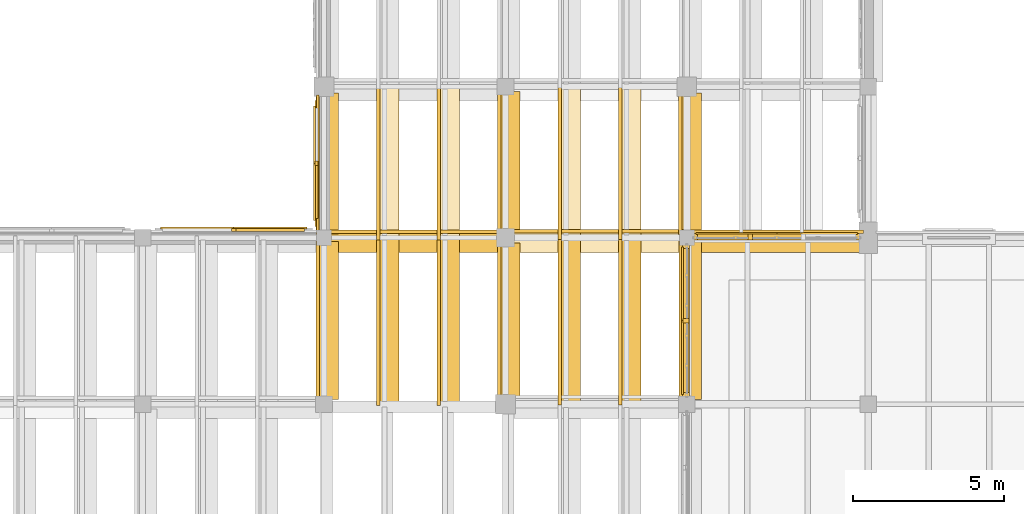
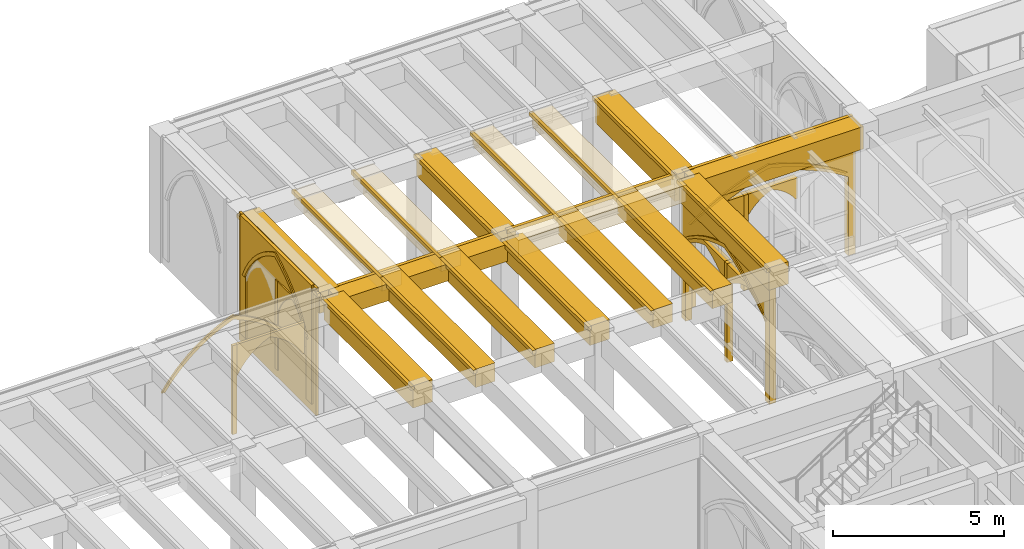
# One storey, part 104 of 127: 52 coverings.
"""IFC4 building model written with IfcOpenShell, lengths in metres."""

from ifc_helpers import new_model, si_unit, direction, frame, origin, origin_2d, place, context, subcontext, project, spatial, polyline, rectangle, outline, extrude, material, type_object, element, save


model = new_model("IFC4")

# Units and contexts
model_context = context("Model", 3, precision=1e-05, world=origin(), true_north=direction((0.0, 1.0)))
body_context = subcontext(model_context, "Body", "Model", "MODEL_VIEW")
ifc_project = project(units=[si_unit("LENGTHUNIT", "METRE"), si_unit("AREAUNIT", "SQUARE_METRE"), si_unit("VOLUMEUNIT", "CUBIC_METRE"), si_unit("PLANEANGLEUNIT", "RADIAN"), si_unit("MASSUNIT", "GRAM", prefix="KILO")], contexts=[model_context])

# Site, building, storey
site_placement = place(None, origin())
site = spatial("IfcSite", under=ifc_project, at=site_placement, CompositionType="ELEMENT")
building_placement = place(site_placement, origin())
building = spatial("IfcBuilding", under=site, at=building_placement, Name="Cumevento Cable Car Station", CompositionType="ELEMENT")
storey_placement = place(building_placement, frame((0.0, 0.0, 4.5)))
storey = spatial("IfcBuildingStorey", under=building, at=storey_placement, Name="L02", CompositionType="ELEMENT", Elevation=4.5)

# Coverings
ifc_material = material(Name="Gnaisse Facoidal Stone Ashlar 85 MPa", Category="masonry")
covering_type = type_object("IfcCoveringType", Name="Gnaisse Ashlar Cladding CV-CL01", PredefinedType="CLADDING", material=ifc_material)
covering_1_placement = place(storey_placement, frame((52.14990234375, 53.762451171875, 3.5927734375), z_axis=(0.0, 0.0, 1.0), x_axis=(0.0, 1.0, 0.0)))
element("IfcCovering", 1, at=covering_1_placement, inside=storey, type_object=covering_type, Name="Gothic Stone Spandrel Stringcourse sc:0376", PredefinedType="CLADDING", context=body_context, shape_type="SweptSolid", body=[
    extrude(rectangle(XDim=5.215087890625, YDim=0.659912109375, at=origin_2d()), origin(), (0.0, 0.0, 1.0), 0.797119140625),
])
covering_2_placement = place(storey_placement, frame((51.79248046875, 53.762451171875, 4.260009765625), z_axis=(0.0, 0.0, 1.0), x_axis=(0.0, 1.0, 0.0)))
element("IfcCovering", 2, at=covering_2_placement, inside=storey, type_object=covering_type, Name="Gothic Cornice Dripstone Lip sc:0376", PredefinedType="CLADDING", context=body_context, shape_type="SweptSolid", body=[
    extrude(rectangle(XDim=5.2548828125, YDim=0.114990234375, at=origin_2d()), origin(), (0.0, 0.0, 1.0), 0.1298828125),
])
covering_3_placement = place(storey_placement, frame((54.97509765625, 56.35009765625, 3.783935546875), z_axis=(0.0, 0.0, 1.0), x_axis=(1.0, 0.0, 0.0)))
element("IfcCovering", 3, at=covering_3_placement, inside=storey, type_object=covering_type, Name="Gothic Stone Spandrel Stringcourse sc:0386", PredefinedType="CLADDING", context=body_context, shape_type="SweptSolid", body=[
    extrude(rectangle(XDim=5.68994140625, YDim=0.659912109375, at=origin_2d()), origin(), (0.0, 0.0, 1.0), 0.60595703125),
])
covering_4_placement = place(storey_placement, frame((54.97509765625, 56.70751953125, 4.260009765625), z_axis=(0.0, 0.0, 1.0), x_axis=(1.0, 0.0, 0.0)))
element("IfcCovering", 4, at=covering_4_placement, inside=storey, type_object=covering_type, Name="Gothic Cornice Dripstone Lip sc:0386", PredefinedType="CLADDING", context=body_context, shape_type="SweptSolid", body=[
    extrude(rectangle(XDim=5.72998046875, YDim=0.114990234375, at=origin_2d()), origin(), (0.0, 0.0, 1.0), 0.1298828125),
])
covering_5_placement = place(storey_placement, frame((61.02490234375, 56.350830078125, 3.7978515625), z_axis=(0.0, 0.0, 1.0), x_axis=(1.0, 0.0, 0.0)))
element("IfcCovering", 5, at=covering_5_placement, inside=storey, type_object=covering_type, Name="Gothic Stone Spandrel Stringcourse sc:0387", PredefinedType="CLADDING", context=body_context, shape_type="SweptSolid", body=[
    extrude(rectangle(XDim=5.68994140625, YDim=0.66162109375, at=origin_2d()), origin(), (0.0, 0.0, 1.0), 0.592041015625),
])
covering_6_placement = place(storey_placement, frame((61.02490234375, 56.708984375, 4.260009765625), z_axis=(0.0, 0.0, 1.0), x_axis=(1.0, 0.0, 0.0)))
element("IfcCovering", 6, at=covering_6_placement, inside=storey, type_object=covering_type, Name="Gothic Cornice Dripstone Lip sc:0387", PredefinedType="CLADDING", context=body_context, shape_type="SweptSolid", body=[
    extrude(rectangle(XDim=5.72998046875, YDim=0.114990234375, at=origin_2d()), origin(), (0.0, 0.0, 1.0), 0.1298828125),
])
covering_7_placement = place(storey_placement, frame((58.148681640625, 53.762451171875, 3.69580078125), z_axis=(0.0, 0.0, 1.0), x_axis=(0.0, 1.0, 0.0)))
element("IfcCovering", 7, at=covering_7_placement, inside=storey, type_object=covering_type, Name="Gothic Stone Spandrel Stringcourse sc:0389", PredefinedType="CLADDING", context=body_context, shape_type="SweptSolid", body=[
    extrude(rectangle(XDim=5.114990234375, YDim=0.66259765625, at=origin_2d()), origin(), (0.0, 0.0, 1.0), 0.694091796875),
])
covering_8_placement = place(storey_placement, frame((57.7900390625, 53.762451171875, 4.260009765625), z_axis=(0.0, 0.0, 1.0), x_axis=(0.0, 1.0, 0.0)))
element("IfcCovering", 8, at=covering_8_placement, inside=storey, type_object=covering_type, Name="Gothic Cornice Dripstone Lip sc:0389", PredefinedType="CLADDING", context=body_context, shape_type="SweptSolid", body=[
    extrude(rectangle(XDim=5.155029296875, YDim=0.114990234375, at=origin_2d()), origin(), (0.0, 0.0, 1.0), 0.1298828125),
])
covering_9_placement = place(storey_placement, frame((64.14990234375, 53.762451171875, 3.5927734375), z_axis=(0.0, 0.0, 1.0), x_axis=(0.0, 1.0, 0.0)))
element("IfcCovering", 9, at=covering_9_placement, inside=storey, type_object=covering_type, Name="Gothic Stone Spandrel Stringcourse sc:0391", PredefinedType="CLADDING", context=body_context, shape_type="SweptSolid", body=[
    extrude(rectangle(XDim=5.215087890625, YDim=0.659912109375, at=origin_2d()), origin(), (0.0, 0.0, 1.0), 0.797119140625),
])
covering_10_placement = place(storey_placement, frame((63.79248046875, 53.762451171875, 4.260009765625), z_axis=(0.0, 0.0, 1.0), x_axis=(0.0, 1.0, 0.0)))
element("IfcCovering", 10, at=covering_10_placement, inside=storey, type_object=covering_type, Name="Gothic Cornice Dripstone Lip sc:0391", PredefinedType="CLADDING", context=body_context, shape_type="SweptSolid", body=[
    extrude(rectangle(XDim=5.2548828125, YDim=0.114990234375, at=origin_2d()), origin(), (0.0, 0.0, 1.0), 0.1298828125),
])
covering_11_placement = place(storey_placement, frame((66.97509765625, 56.35009765625, 3.5869140625), z_axis=(0.0, 0.0, 1.0), x_axis=(1.0, 0.0, 0.0)))
element("IfcCovering", 11, at=covering_11_placement, inside=storey, type_object=covering_type, Name="Gothic Stone Spandrel Stringcourse sc:0393", PredefinedType="CLADDING", context=body_context, shape_type="SweptSolid", body=[
    extrude(rectangle(XDim=5.68994140625, YDim=0.659912109375, at=origin_2d()), origin(), (0.0, 0.0, 1.0), 0.802978515625),
])
covering_12_placement = place(storey_placement, frame((66.97509765625, 56.70751953125, 4.260009765625), z_axis=(0.0, 0.0, 1.0), x_axis=(1.0, 0.0, 0.0)))
element("IfcCovering", 12, at=covering_12_placement, inside=storey, type_object=covering_type, Name="Gothic Cornice Dripstone Lip sc:0393", PredefinedType="CLADDING", context=body_context, shape_type="SweptSolid", body=[
    extrude(rectangle(XDim=5.72998046875, YDim=0.114990234375, at=origin_2d()), origin(), (0.0, 0.0, 1.0), 0.1298828125),
])
covering_13_placement = place(storey_placement, frame((52.14990234375, 58.96240234375, 3.64306640625), z_axis=(0.0, 0.0, 1.0), x_axis=(0.0, 1.0, 0.0)))
element("IfcCovering", 13, at=covering_13_placement, inside=storey, type_object=covering_type, Name="Gothic Stone Spandrel Stringcourse sc:0430", PredefinedType="CLADDING", context=body_context, shape_type="SweptSolid", body=[
    extrude(rectangle(XDim=4.6650390625, YDim=0.659912109375, at=origin_2d()), origin(), (0.0, 0.0, 1.0), 0.7470703125),
])
covering_14_placement = place(storey_placement, frame((51.79248046875, 58.96240234375, 4.260009765625), z_axis=(0.0, 0.0, 1.0), x_axis=(0.0, 1.0, 0.0)))
element("IfcCovering", 14, at=covering_14_placement, inside=storey, type_object=covering_type, Name="Gothic Cornice Dripstone Lip sc:0430", PredefinedType="CLADDING", context=body_context, shape_type="SweptSolid", body=[
    extrude(rectangle(XDim=4.705078125, YDim=0.114990234375, at=origin_2d()), origin(), (0.0, 0.0, 1.0), 0.1298828125),
])
covering_15_placement = place(storey_placement, frame((58.14990234375, 59.012451171875, 3.5927734375), z_axis=(0.0, 0.0, 1.0), x_axis=(0.0, 1.0, 0.0)))
element("IfcCovering", 15, at=covering_15_placement, inside=storey, type_object=covering_type, Name="Gothic Stone Spandrel Stringcourse sc:0432", PredefinedType="CLADDING", context=body_context, shape_type="SweptSolid", body=[
    extrude(rectangle(XDim=4.6650390625, YDim=0.659912109375, at=origin_2d()), origin(), (0.0, 0.0, 1.0), 0.797119140625),
])
covering_16_placement = place(storey_placement, frame((57.79248046875, 59.012451171875, 4.260009765625), z_axis=(0.0, 0.0, 1.0), x_axis=(0.0, 1.0, 0.0)))
element("IfcCovering", 16, at=covering_16_placement, inside=storey, type_object=covering_type, Name="Gothic Cornice Dripstone Lip sc:0432", PredefinedType="CLADDING", context=body_context, shape_type="SweptSolid", body=[
    extrude(rectangle(XDim=4.705078125, YDim=0.114990234375, at=origin_2d()), origin(), (0.0, 0.0, 1.0), 0.1298828125),
])
covering_17_placement = place(storey_placement, frame((64.14306640625, 58.96240234375, 3.44189453125), z_axis=(0.0, 0.0, 1.0), x_axis=(0.0, 1.0, 0.0)))
element("IfcCovering", 17, at=covering_17_placement, inside=storey, type_object=covering_type, Name="Gothic Stone Spandrel Stringcourse sc:0434", PredefinedType="CLADDING", context=body_context, shape_type="SweptSolid", body=[
    extrude(rectangle(XDim=4.6650390625, YDim=0.674072265625, at=origin_2d()), origin(), (0.0, 0.0, 1.0), 0.947998046875),
])
covering_18_placement = place(storey_placement, frame((63.778564453125, 58.96240234375, 4.260009765625), z_axis=(0.0, 0.0, 1.0), x_axis=(0.0, 1.0, 0.0)))
element("IfcCovering", 18, at=covering_18_placement, inside=storey, type_object=covering_type, Name="Gothic Cornice Dripstone Lip sc:0434", PredefinedType="CLADDING", context=body_context, shape_type="SweptSolid", body=[
    extrude(rectangle(XDim=4.705078125, YDim=0.114990234375, at=origin_2d()), origin(), (0.0, 0.0, 1.0), 0.1298828125),
])
covering_19_placement = place(storey_placement, frame((54.14990234375, 53.76416015625, 3.73291015625), z_axis=(0.0, 0.0, 1.0), x_axis=(0.0, 1.0, 0.0)))
element("IfcCovering", 19, at=covering_19_placement, inside=storey, type_object=covering_type, Name="Gothic Stone Spandrel Stringcourse sc:0513", PredefinedType="CLADDING", context=body_context, shape_type="SweptSolid", body=[
    extrude(rectangle(XDim=5.58740234375, YDim=0.659912109375, at=origin_2d()), origin(), (0.0, 0.0, 1.0), 0.656982421875),
])
covering_20_placement = place(storey_placement, frame((53.79248046875, 53.76416015625, 4.260009765625), z_axis=(0.0, 0.0, 1.0), x_axis=(0.0, 1.0, 0.0)))
element("IfcCovering", 20, at=covering_20_placement, inside=storey, type_object=covering_type, Name="Gothic Cornice Dripstone Lip sc:0513", PredefinedType="CLADDING", context=body_context, shape_type="SweptSolid", body=[
    extrude(rectangle(XDim=5.62744140625, YDim=0.114990234375, at=origin_2d()), origin(), (0.0, 0.0, 1.0), 0.1298828125),
])
covering_21_placement = place(storey_placement, frame((56.14990234375, 53.76416015625, 3.73291015625), z_axis=(0.0, 0.0, 1.0), x_axis=(0.0, 1.0, 0.0)))
element("IfcCovering", 21, at=covering_21_placement, inside=storey, type_object=covering_type, Name="Gothic Stone Spandrel Stringcourse sc:0515", PredefinedType="CLADDING", context=body_context, shape_type="SweptSolid", body=[
    extrude(rectangle(XDim=5.58740234375, YDim=0.659912109375, at=origin_2d()), origin(), (0.0, 0.0, 1.0), 0.656982421875),
])
covering_22_placement = place(storey_placement, frame((55.79248046875, 53.76416015625, 4.260009765625), z_axis=(0.0, 0.0, 1.0), x_axis=(0.0, 1.0, 0.0)))
element("IfcCovering", 22, at=covering_22_placement, inside=storey, type_object=covering_type, Name="Gothic Cornice Dripstone Lip sc:0515", PredefinedType="CLADDING", context=body_context, shape_type="SweptSolid", body=[
    extrude(rectangle(XDim=5.62744140625, YDim=0.114990234375, at=origin_2d()), origin(), (0.0, 0.0, 1.0), 0.1298828125),
])
covering_23_placement = place(storey_placement, frame((60.14990234375, 53.7626953125, 3.73291015625), z_axis=(0.0, 0.0, 1.0), x_axis=(0.0, 1.0, 0.0)))
element("IfcCovering", 23, at=covering_23_placement, inside=storey, type_object=covering_type, Name="Gothic Stone Spandrel Stringcourse sc:0517", PredefinedType="CLADDING", context=body_context, shape_type="SweptSolid", body=[
    extrude(rectangle(XDim=5.535400390625, YDim=0.659912109375, at=origin_2d()), origin(), (0.0, 0.0, 1.0), 0.656982421875),
])
covering_24_placement = place(storey_placement, frame((59.79248046875, 53.7626953125, 4.260009765625), z_axis=(0.0, 0.0, 1.0), x_axis=(0.0, 1.0, 0.0)))
element("IfcCovering", 24, at=covering_24_placement, inside=storey, type_object=covering_type, Name="Gothic Cornice Dripstone Lip sc:0517", PredefinedType="CLADDING", context=body_context, shape_type="SweptSolid", body=[
    extrude(rectangle(XDim=5.575439453125, YDim=0.114990234375, at=origin_2d()), origin(), (0.0, 0.0, 1.0), 0.1298828125),
])
covering_25_placement = place(storey_placement, frame((62.14990234375, 53.7626953125, 3.73291015625), z_axis=(0.0, 0.0, 1.0), x_axis=(0.0, 1.0, 0.0)))
element("IfcCovering", 25, at=covering_25_placement, inside=storey, type_object=covering_type, Name="Gothic Stone Spandrel Stringcourse sc:0519", PredefinedType="CLADDING", context=body_context, shape_type="SweptSolid", body=[
    extrude(rectangle(XDim=5.535400390625, YDim=0.659912109375, at=origin_2d()), origin(), (0.0, 0.0, 1.0), 0.656982421875),
])
covering_26_placement = place(storey_placement, frame((61.79248046875, 53.7626953125, 4.260009765625), z_axis=(0.0, 0.0, 1.0), x_axis=(0.0, 1.0, 0.0)))
element("IfcCovering", 26, at=covering_26_placement, inside=storey, type_object=covering_type, Name="Gothic Cornice Dripstone Lip sc:0519", PredefinedType="CLADDING", context=body_context, shape_type="SweptSolid", body=[
    extrude(rectangle(XDim=5.575439453125, YDim=0.114990234375, at=origin_2d()), origin(), (0.0, 0.0, 1.0), 0.1298828125),
])
covering_27_placement = place(storey_placement, frame((54.14990234375, 59.0, 3.848876953125), z_axis=(0.0, 0.0, 1.0), x_axis=(0.0, 1.0, 0.0)))
element("IfcCovering", 27, at=covering_27_placement, inside=storey, type_object=covering_type, Name="Gothic Stone Spandrel Stringcourse sc:0540", PredefinedType="CLADDING", context=body_context, shape_type="SweptSolid", body=[
    extrude(rectangle(XDim=5.115966796875, YDim=0.659912109375, at=origin_2d()), origin(), (0.0, 0.0, 1.0), 0.541015625),
])
covering_28_placement = place(storey_placement, frame((53.79248046875, 59.0, 4.260009765625), z_axis=(0.0, 0.0, 1.0), x_axis=(0.0, 1.0, 0.0)))
element("IfcCovering", 28, at=covering_28_placement, inside=storey, type_object=covering_type, Name="Gothic Cornice Dripstone Lip sc:0540", PredefinedType="CLADDING", context=body_context, shape_type="SweptSolid", body=[
    extrude(rectangle(XDim=5.156005859375, YDim=0.114990234375, at=origin_2d()), origin(), (0.0, 0.0, 1.0), 0.1298828125),
])
covering_29_placement = place(storey_placement, frame((56.14990234375, 59.0, 3.848876953125), z_axis=(0.0, 0.0, 1.0), x_axis=(0.0, 1.0, 0.0)))
element("IfcCovering", 29, at=covering_29_placement, inside=storey, type_object=covering_type, Name="Gothic Stone Spandrel Stringcourse sc:0542", PredefinedType="CLADDING", context=body_context, shape_type="SweptSolid", body=[
    extrude(rectangle(XDim=5.115966796875, YDim=0.659912109375, at=origin_2d()), origin(), (0.0, 0.0, 1.0), 0.541015625),
])
covering_30_placement = place(storey_placement, frame((55.79248046875, 59.0, 4.260009765625), z_axis=(0.0, 0.0, 1.0), x_axis=(0.0, 1.0, 0.0)))
element("IfcCovering", 30, at=covering_30_placement, inside=storey, type_object=covering_type, Name="Gothic Cornice Dripstone Lip sc:0542", PredefinedType="CLADDING", context=body_context, shape_type="SweptSolid", body=[
    extrude(rectangle(XDim=5.156005859375, YDim=0.114990234375, at=origin_2d()), origin(), (0.0, 0.0, 1.0), 0.1298828125),
])
covering_31_placement = place(storey_placement, frame((60.14990234375, 59.0, 3.848876953125), z_axis=(0.0, 0.0, 1.0), x_axis=(0.0, 1.0, 0.0)))
element("IfcCovering", 31, at=covering_31_placement, inside=storey, type_object=covering_type, Name="Gothic Stone Spandrel Stringcourse sc:0544", PredefinedType="CLADDING", context=body_context, shape_type="SweptSolid", body=[
    extrude(rectangle(XDim=5.06103515625, YDim=0.659912109375, at=origin_2d()), origin(), (0.0, 0.0, 1.0), 0.541015625),
])
covering_32_placement = place(storey_placement, frame((59.79248046875, 59.0, 4.260009765625), z_axis=(0.0, 0.0, 1.0), x_axis=(0.0, 1.0, 0.0)))
element("IfcCovering", 32, at=covering_32_placement, inside=storey, type_object=covering_type, Name="Gothic Cornice Dripstone Lip sc:0544", PredefinedType="CLADDING", context=body_context, shape_type="SweptSolid", body=[
    extrude(rectangle(XDim=5.10107421875, YDim=0.114990234375, at=origin_2d()), origin(), (0.0, 0.0, 1.0), 0.1298828125),
])
covering_33_placement = place(storey_placement, frame((62.14990234375, 59.0, 3.848876953125), z_axis=(0.0, 0.0, 1.0), x_axis=(0.0, 1.0, 0.0)))
element("IfcCovering", 33, at=covering_33_placement, inside=storey, type_object=covering_type, Name="Gothic Stone Spandrel Stringcourse sc:0546", PredefinedType="CLADDING", context=body_context, shape_type="SweptSolid", body=[
    extrude(rectangle(XDim=5.06103515625, YDim=0.659912109375, at=origin_2d()), origin(), (0.0, 0.0, 1.0), 0.541015625),
])
covering_34_placement = place(storey_placement, frame((61.79248046875, 59.0, 4.260009765625), z_axis=(0.0, 0.0, 1.0), x_axis=(0.0, 1.0, 0.0)))
element("IfcCovering", 34, at=covering_34_placement, inside=storey, type_object=covering_type, Name="Gothic Cornice Dripstone Lip sc:0546", PredefinedType="CLADDING", context=body_context, shape_type="SweptSolid", body=[
    extrude(rectangle(XDim=5.10107421875, YDim=0.114990234375, at=origin_2d()), origin(), (0.0, 0.0, 1.0), 0.1298828125),
])
placement_1 = place(storey_placement, frame((64.25, 56.5, -0.3701171875), z_axis=(0.0, 0.0, 1.0), x_axis=(1.0, 0.0, 0.0)))
element("IfcCovering", 35, at=placement_1, inside=storey, type_object=covering_type, Name="Gothic Ogival Pointed-Arch Stone Spandrel cw_ogival:0059", PredefinedType="CLADDING", context=body_context, shape_type="SweptSolid", body=[
    extrude(outline(polyline([(-0.080078125, 0.0), (-0.080078125, 4.096923828125), (5.530029296875, 4.096923828125), (5.530029296875, 0.0), (5.2900390625, 0.0), (5.2900390625, 2.815673828125), (4.993408203125, 3.00146484375), (4.688720703125, 3.17333984375), (4.37646484375, 3.3310546875), (4.05712890625, 3.474365234375), (3.731689453125, 3.602783203125), (3.40087890625, 3.71630859375), (3.06494140625, 3.814453125), (2.72509765625, 3.89697265625), (2.385009765625, 3.814453125), (2.049072265625, 3.71630859375), (1.71826171875, 3.602783203125), (1.392822265625, 3.474365234375), (1.073486328125, 3.3310546875), (0.76123046875, 3.17333984375), (0.45654296875, 3.00146484375), (0.159912109375, 2.815673828125), (0.159912109375, 0.0), (-0.080078125, 0.0)])), frame((0.0, 0.139892578125, 0.0), z_axis=(0.0, -1.0, 0.0), x_axis=(1.0, 0.0, 0.0)), (0.0, 0.0, 1.0), 0.219970703125),
])
covering_36_placement = place(storey_placement, frame((64.25, 56.5, 2.44580078125), z_axis=(0.0, 0.0, 1.0), x_axis=(1.0, 0.0, 0.0)))
element("IfcCovering", 36, at=covering_36_placement, inside=storey, type_object=covering_type, Name="Gothic Pointed Archivolt Hood Moulding cw_ogival:0059", PredefinedType="CLADDING", context=body_context, shape_type="SweptSolid", body=[
    extrude(outline(polyline([(0.159912109375, 0.0), (0.45654296875, 0.185791015625), (0.76123046875, 0.357666015625), (1.073486328125, 0.515380859375), (1.392822265625, 0.65869140625), (1.71826171875, 0.787109375), (2.049072265625, 0.900634765625), (2.385009765625, 0.998779296875), (2.72509765625, 1.081298828125), (3.06494140625, 0.998779296875), (3.40087890625, 0.900634765625), (3.731689453125, 0.787109375), (4.05712890625, 0.65869140625), (4.37646484375, 0.515380859375), (4.688720703125, 0.357666015625), (4.993408203125, 0.185791015625), (5.2900390625, 0.0), (5.39990234375, 0.0), (5.0947265625, 0.208740234375), (4.779541015625, 0.402099609375), (4.455322265625, 0.579833984375), (4.12255859375, 0.741455078125), (3.782470703125, 0.88623046875), (3.435546875, 1.014404296875), (3.082763671875, 1.125244140625), (2.72509765625, 1.21875), (2.3671875, 1.125244140625), (2.014404296875, 1.014404296875), (1.66748046875, 0.88623046875), (1.327392578125, 0.741455078125), (0.99462890625, 0.579833984375), (0.67041015625, 0.402099609375), (0.355224609375, 0.208740234375), (0.050048828125, 0.0), (0.159912109375, 0.0)])), frame((0.0, 0.181884765625, 0.0), z_axis=(0.0, -1.0, 0.0), x_axis=(1.0, 0.0, 0.0)), (0.0, 0.0, 1.0), 0.06689453125),
])
element("IfcCovering", 37, at=placement_1, inside=storey, type_object=covering_type, Name="Gothic Bifora Stone Colonnette cw_ogival:0059 #1", PredefinedType="CLADDING", context=body_context, shape_type="SweptSolid", body=[
    extrude(outline(polyline([(1.77001953125, -0.02001953125), (1.919921875, -0.02001953125), (1.919921875, 3.3779296875), (1.77001953125, 3.3779296875), (1.77001953125, -0.02001953125)])), frame((0.0, 0.1279296875, 0.0), z_axis=(0.0, -1.0, 0.0), x_axis=(1.0, 0.0, 0.0)), (0.0, 0.0, 1.0), 0.205078125),
])
for number, where, z_axis, x_axis, name in (
    (38, (64.3798828125, 56.5, 2.265625), (0.0, 0.0, 1.0), (1.0, 0.0, 0.0), "Gothic Ogival Pointed-Arch Stone Spandrel cw_ogival:0059:sub:0"),
    (39, (66.139892578125, 56.5, 2.265625), (0.0, 0.0, 1.0), (1.0, 0.0, 0.0), "Gothic Ogival Pointed-Arch Stone Spandrel cw_ogival:0059:sub:1"),
):
    element("IfcCovering", number, at=place(storey_placement, frame(where, z_axis=z_axis, x_axis=x_axis)), inside=storey, type_object=covering_type, Name=name, PredefinedType="CLADDING", context=body_context, shape_type="SweptSolid", body=[
        extrude(outline(polyline([(-0.02001953125, 0.0), (-0.02001953125, 0.7421875), (1.68994140625, 0.7421875), (1.68994140625, 0.0), (1.6298828125, 0.0), (1.5263671875, 0.1357421875), (1.409423828125, 0.26025390625), (1.2802734375, 0.372314453125), (1.140625, 0.470703125), (0.99169921875, 0.55419921875), (0.8349609375, 0.622314453125), (0.67822265625, 0.55419921875), (0.529296875, 0.470703125), (0.3896484375, 0.372314453125), (0.260498046875, 0.26025390625), (0.1435546875, 0.1357421875), (0.0400390625, 0.0), (-0.02001953125, 0.0)])), frame((0.0, 0.1240234375, 0.0), z_axis=(0.0, -1.0, 0.0), x_axis=(1.0, 0.0, 0.0)), (0.0, 0.0, 1.0), 0.199951171875),
    ])
placement_2 = place(storey_placement, frame((64.0, 51.27490234375, -0.52001953125), z_axis=(0.0, 0.0, 1.0), x_axis=(0.0, 1.0, 0.0)))
element("IfcCovering", 40, at=placement_2, inside=storey, type_object=covering_type, Name="Gothic Ogival Pointed-Arch Stone Spandrel cw_ogival:0064", PredefinedType="CLADDING", context=body_context, shape_type="SweptSolid", body=[
    extrude(outline(polyline([(-0.080078125, 0.0), (-0.080078125, 4.2529296875), (5.054931640625, 4.2529296875), (5.054931640625, 0.0), (4.81494140625, 0.0), (4.81494140625, 2.91552734375), (4.552978515625, 3.109619140625), (4.28125, 3.289794921875), (4.000244140625, 3.45556640625), (3.7109375, 3.6064453125), (3.414306640625, 3.741943359375), (3.111083984375, 3.86181640625), (2.8017578125, 3.965576171875), (2.487548828125, 4.052978515625), (2.17333984375, 3.965576171875), (1.864013671875, 3.86181640625), (1.560791015625, 3.741943359375), (1.26416015625, 3.6064453125), (0.974853515625, 3.45556640625), (0.69384765625, 3.289794921875), (0.422119140625, 3.109619140625), (0.159912109375, 2.91552734375), (0.159912109375, 0.0), (-0.080078125, 0.0)])), frame((0.0, 0.139892578125, 0.0), z_axis=(0.0, -1.0, 0.0), x_axis=(1.0, 0.0, 0.0)), (0.0, 0.0, 1.0), 0.219970703125),
])
covering_39_placement = place(storey_placement, frame((64.0, 51.27490234375, 2.3955078125), z_axis=(0.0, 0.0, 1.0), x_axis=(0.0, 1.0, 0.0)))
element("IfcCovering", 41, at=covering_39_placement, inside=storey, type_object=covering_type, Name="Gothic Pointed Archivolt Hood Moulding cw_ogival:0064", PredefinedType="CLADDING", context=body_context, shape_type="SweptSolid", body=[
    extrude(outline(polyline([(0.159912109375, 0.0), (0.422119140625, 0.194091796875), (0.69384765625, 0.374267578125), (0.974853515625, 0.5400390625), (1.26416015625, 0.69091796875), (1.560791015625, 0.826416015625), (1.864013671875, 0.9462890625), (2.17333984375, 1.050048828125), (2.487548828125, 1.137451171875), (2.8017578125, 1.050048828125), (3.111083984375, 0.9462890625), (3.414306640625, 0.826416015625), (3.7109375, 0.69091796875), (4.000244140625, 0.5400390625), (4.28125, 0.374267578125), (4.552978515625, 0.194091796875), (4.81494140625, 0.0), (4.925048828125, 0.0), (4.65478515625, 0.216796875), (4.37255859375, 0.41845703125), (4.079833984375, 0.60400390625), (3.77734375, 0.773193359375), (3.4658203125, 0.92529296875), (3.146484375, 1.059814453125), (2.820068359375, 1.176513671875), (2.487548828125, 1.27490234375), (2.155029296875, 1.176513671875), (1.82861328125, 1.059814453125), (1.50927734375, 0.92529296875), (1.19775390625, 0.773193359375), (0.895263671875, 0.60400390625), (0.6025390625, 0.41845703125), (0.3203125, 0.216796875), (0.050048828125, 0.0), (0.159912109375, 0.0)])), frame((0.0, 0.181884765625, 0.0), z_axis=(0.0, -1.0, 0.0), x_axis=(1.0, 0.0, 0.0)), (0.0, 0.0, 1.0), 0.06689453125),
])
element("IfcCovering", 42, at=placement_2, inside=storey, type_object=covering_type, Name="Gothic Bifora Stone Colonnette cw_ogival:0064 #1", PredefinedType="CLADDING", context=body_context, shape_type="SweptSolid", body=[
    extrude(outline(polyline([(2.41259765625, -0.02001953125), (2.5625, -0.02001953125), (2.5625, 3.507080078125), (2.41259765625, 3.507080078125), (2.41259765625, -0.02001953125)])), frame((0.0, 0.1279296875, 0.0), z_axis=(0.0, -1.0, 0.0), x_axis=(1.0, 0.0, 0.0)), (0.0, 0.0, 1.0), 0.205078125),
])
for number, where, z_axis, x_axis, name in (
    (43, (64.0, 51.405029296875, 2.215576171875), (0.0, 0.0, 1.0), (0.0, 1.0, 0.0), "Gothic Ogival Pointed-Arch Stone Spandrel cw_ogival:0064:sub:0"),
    (44, (64.0, 53.8076171875, 2.215576171875), (0.0, 0.0, 1.0), (0.0, 1.0, 0.0), "Gothic Ogival Pointed-Arch Stone Spandrel cw_ogival:0064:sub:1"),
):
    element("IfcCovering", number, at=place(storey_placement, frame(where, z_axis=z_axis, x_axis=x_axis)), inside=storey, type_object=covering_type, Name=name, PredefinedType="CLADDING", context=body_context, shape_type="SweptSolid", body=[
        extrude(outline(polyline([(-0.02001953125, 0.0), (-0.02001953125, 0.771484375), (2.33251953125, 0.771484375), (2.33251953125, 0.0), (2.2724609375, 0.0), (2.110595703125, 0.145263671875), (1.9375, 0.27685546875), (1.754150390625, 0.393798828125), (1.56201171875, 0.495849609375), (1.3623046875, 0.581787109375), (1.15625, 0.651611328125), (0.9501953125, 0.581787109375), (0.75048828125, 0.495849609375), (0.558349609375, 0.393798828125), (0.375, 0.27685546875), (0.201904296875, 0.145263671875), (0.0400390625, 0.0), (-0.02001953125, 0.0)])), frame((0.0, 0.1240234375, 0.0), z_axis=(0.0, -1.0, 0.0), x_axis=(1.0, 0.0, 0.0)), (0.0, 0.0, 1.0), 0.199951171875),
    ])
covering_41_placement = place(storey_placement, frame((46.455078125, 56.5, 2.52001953125), z_axis=(0.0, 0.0, 1.0), x_axis=(1.0, 0.0, 0.0)))
element("IfcCovering", 45, at=covering_41_placement, inside=storey, type_object=covering_type, Name="Gothic Pointed Archivolt Hood Moulding blind_ogival:0028", PredefinedType="CLADDING", context=body_context, shape_type="SweptSolid", body=[
    extrude(outline(polyline([(0.260009765625, 0.0), (0.51416015625, 0.338623046875), (0.797119140625, 0.653564453125), (1.106201171875, 0.94287109375), (1.439697265625, 1.203857421875), (1.79443359375, 1.434814453125), (2.16796875, 1.634033203125), (2.5576171875, 1.800048828125), (2.947021484375, 1.634033203125), (3.320556640625, 1.434814453125), (3.67529296875, 1.203857421875), (4.0087890625, 0.94287109375), (4.31787109375, 0.653564453125), (4.600830078125, 0.338623046875), (4.85498046875, 0.0), (4.97607421875, 0.0), (4.71240234375, 0.365966796875), (4.417236328125, 0.70703125), (4.0927734375, 1.0205078125), (3.74169921875, 1.3037109375), (3.36669921875, 1.554443359375), (2.970947265625, 1.77099609375), (2.5576171875, 1.951171875), (2.14404296875, 1.77099609375), (1.748291015625, 1.554443359375), (1.373291015625, 1.3037109375), (1.022216796875, 1.0205078125), (0.69775390625, 0.70703125), (0.402587890625, 0.365966796875), (0.138916015625, 0.0), (0.260009765625, 0.0)])), frame((0.0, 0.359619140625, 0.0), z_axis=(0.0, -1.0, 0.0), x_axis=(1.0, 0.0, 0.0)), (0.0, 0.0, 1.0), 0.06689453125),
])
covering_42_placement = place(storey_placement, frame((46.455078125, 56.5, 0.300048828125), z_axis=(0.0, 0.0, 1.0), x_axis=(1.0, 0.0, 0.0)))
element("IfcCovering", 46, at=covering_42_placement, inside=storey, type_object=covering_type, Name="Gothic Bifora Stone Colonnette blind_ogival:0028 #1", PredefinedType="CLADDING", context=body_context, shape_type="SweptSolid", body=[
    extrude(outline(polyline([(2.482421875, -0.02001953125), (2.632568359375, -0.02001953125), (2.632568359375, 3.156005859375), (2.482421875, 3.156005859375), (2.482421875, -0.02001953125)])), frame((0.0, 0.305419921875, 0.0), z_axis=(0.0, -1.0, 0.0), x_axis=(1.0, 0.0, 0.0)), (0.0, 0.0, 1.0), 0.094970703125),
])
covering_43_placement = place(storey_placement, frame((49.0576171875, 56.5, 2.340087890625), z_axis=(0.0, 0.0, 1.0), x_axis=(1.0, 0.0, 0.0)))
element("IfcCovering", 47, at=covering_43_placement, inside=storey, type_object=covering_type, Name="Gothic Ogival Pointed-Arch Stone Spandrel blind_ogival:0028:sub:1", PredefinedType="CLADDING", context=body_context, shape_type="SweptSolid", body=[
    extrude(outline(polyline([(-0.02001953125, 0.0), (-0.02001953125, 1.115966796875), (2.302490234375, 1.115966796875), (2.302490234375, 0.0), (2.242431640625, 0.0), (2.10986328125, 0.21435546875), (1.9541015625, 0.41259765625), (1.77685546875, 0.592041015625), (1.58056640625, 0.750244140625), (1.367919921875, 0.885498046875), (1.141357421875, 0.99609375), (0.91455078125, 0.885498046875), (0.701904296875, 0.750244140625), (0.505615234375, 0.592041015625), (0.328369140625, 0.41259765625), (0.172607421875, 0.21435546875), (0.0400390625, 0.0), (-0.02001953125, 0.0)])), frame((0.0, 0.301513671875, 0.0), z_axis=(0.0, -1.0, 0.0), x_axis=(1.0, 0.0, 0.0)), (0.0, 0.0, 1.0), 0.090087890625),
])
covering_44_placement = place(storey_placement, frame((52.0, 56.75, 0.0), z_axis=(0.0, 0.0, 1.0), x_axis=(0.0, 1.0, 0.0)))
element("IfcCovering", 48, at=covering_44_placement, inside=storey, type_object=covering_type, Name="Exterior Gnaisse Stone Wall Ashlar #69", PredefinedType="CLADDING", context=body_context, shape_type="SweptSolid", body=[
    extrude(outline(polyline([(-0.0400390625, -0.02001953125), (4.465087890625, -0.02001953125), (4.465087890625, 4.52001953125), (-0.0400390625, 4.52001953125), (-0.0400390625, -0.02001953125)])), frame((0.0, 0.25, 0.0), z_axis=(0.0, -1.0, 0.0), x_axis=(1.0, 0.0, 0.0)), (0.0, 0.0, 1.0), 0.0849609375),
])
placement_3 = place(storey_placement, frame((52.0, 56.929931640625, 0.300048828125), z_axis=(0.0, 0.0, 1.0), x_axis=(0.0, 1.0, 0.0)))
element("IfcCovering", 49, at=placement_3, inside=storey, type_object=covering_type, Name="Gothic Ogival Pointed-Arch Stone Spandrel blind_ogival:0069", PredefinedType="CLADDING", context=body_context, shape_type="SweptSolid", body=[
    extrude(outline(polyline([(-0.050048828125, 0.0), (-0.050048828125, 4.239990234375), (4.114990234375, 4.239990234375), (4.114990234375, 0.0), (3.804931640625, 0.0), (3.804931640625, 2.219970703125), (3.6396484375, 2.549560546875), (3.440673828125, 2.8603515625), (3.210693359375, 3.148681640625), (2.951904296875, 3.411376953125), (2.667236328125, 3.64599609375), (2.359619140625, 3.849609375), (2.032470703125, 4.02001953125), (1.705322265625, 3.849609375), (1.397705078125, 3.64599609375), (1.113037109375, 3.411376953125), (0.854248046875, 3.148681640625), (0.624267578125, 2.8603515625), (0.42529296875, 2.549560546875), (0.260009765625, 2.219970703125), (0.260009765625, 0.0), (-0.050048828125, 0.0)])), frame((0.0, 0.304931640625, 0.0), z_axis=(0.0, -1.0, 0.0), x_axis=(1.0, 0.0, 0.0)), (0.0, 0.0, 1.0), 0.110107421875),
])
covering_46_placement = place(storey_placement, frame((52.0, 56.929931640625, 2.52001953125), z_axis=(0.0, 0.0, 1.0), x_axis=(0.0, 1.0, 0.0)))
element("IfcCovering", 50, at=covering_46_placement, inside=storey, type_object=covering_type, Name="Gothic Pointed Archivolt Hood Moulding blind_ogival:0069", PredefinedType="CLADDING", context=body_context, shape_type="SweptSolid", body=[
    extrude(outline(polyline([(0.260009765625, 0.0), (0.42529296875, 0.32958984375), (0.624267578125, 0.640380859375), (0.854248046875, 0.9287109375), (1.113037109375, 1.19140625), (1.397705078125, 1.426025390625), (1.705322265625, 1.629638671875), (2.032470703125, 1.800048828125), (2.359619140625, 1.629638671875), (2.667236328125, 1.426025390625), (2.951904296875, 1.19140625), (3.210693359375, 0.9287109375), (3.440673828125, 0.640380859375), (3.6396484375, 0.32958984375), (3.804931640625, 0.0), (3.926025390625, 0.0), (3.75146484375, 0.356689453125), (3.54052734375, 0.693359375), (3.29541015625, 1.005859375), (3.018798828125, 1.290771484375), (2.7138671875, 1.545166015625), (2.3837890625, 1.76611328125), (2.032470703125, 1.951171875), (1.68115234375, 1.76611328125), (1.35107421875, 1.545166015625), (1.046142578125, 1.290771484375), (0.76953125, 1.005859375), (0.5244140625, 0.693359375), (0.3134765625, 0.356689453125), (0.138916015625, 0.0), (0.260009765625, 0.0)])), frame((0.0, 0.346923828125, 0.0), z_axis=(0.0, -1.0, 0.0), x_axis=(1.0, 0.0, 0.0)), (0.0, 0.0, 1.0), 0.06689453125),
])
element("IfcCovering", 51, at=placement_3, inside=storey, type_object=covering_type, Name="Gothic Bifora Stone Colonnette blind_ogival:0069 #1", PredefinedType="CLADDING", context=body_context, shape_type="SweptSolid", body=[
    extrude(outline(polyline([(1.95751953125, -0.02001953125), (2.107421875, -0.02001953125), (2.107421875, 3.156005859375), (1.95751953125, 3.156005859375), (1.95751953125, -0.02001953125)])), frame((0.0, 0.29296875, 0.0), z_axis=(0.0, -1.0, 0.0), x_axis=(1.0, 0.0, 0.0)), (0.0, 0.0, 1.0), 0.094970703125),
])
covering_48_placement = place(storey_placement, frame((52.0, 57.159912109375, 2.340087890625), z_axis=(0.0, 0.0, 1.0), x_axis=(0.0, 1.0, 0.0)))
element("IfcCovering", 52, at=covering_48_placement, inside=storey, type_object=covering_type, Name="Gothic Ogival Pointed-Arch Stone Spandrel blind_ogival:0069:sub:0", PredefinedType="CLADDING", context=body_context, shape_type="SweptSolid", body=[
    extrude(outline(polyline([(-0.02001953125, 0.0), (-0.02001953125, 1.115966796875), (1.777587890625, 1.115966796875), (1.777587890625, 0.0), (1.717529296875, 0.0), (1.637939453125, 0.2080078125), (1.531005859375, 0.403564453125), (1.3994140625, 0.583251953125), (1.244873046875, 0.74365234375), (1.0703125, 0.882080078125), (0.878662109375, 0.99609375), (0.687255859375, 0.882080078125), (0.5126953125, 0.74365234375), (0.358154296875, 0.583251953125), (0.2265625, 0.403564453125), (0.11962890625, 0.2080078125), (0.0400390625, 0.0), (-0.02001953125, 0.0)])), frame((0.0, 0.2890625, 0.0), z_axis=(0.0, -1.0, 0.0), x_axis=(1.0, 0.0, 0.0)), (0.0, 0.0, 1.0), 0.090087890625),
])

save(model, "model.ifc")
